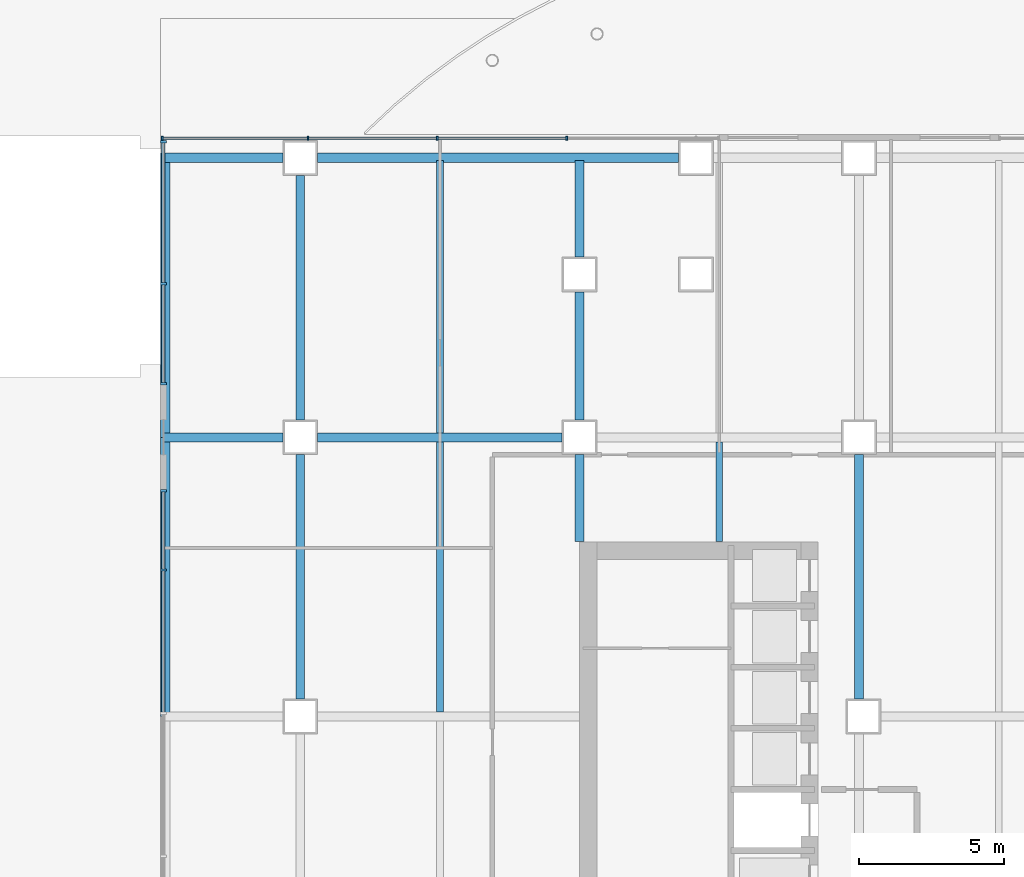
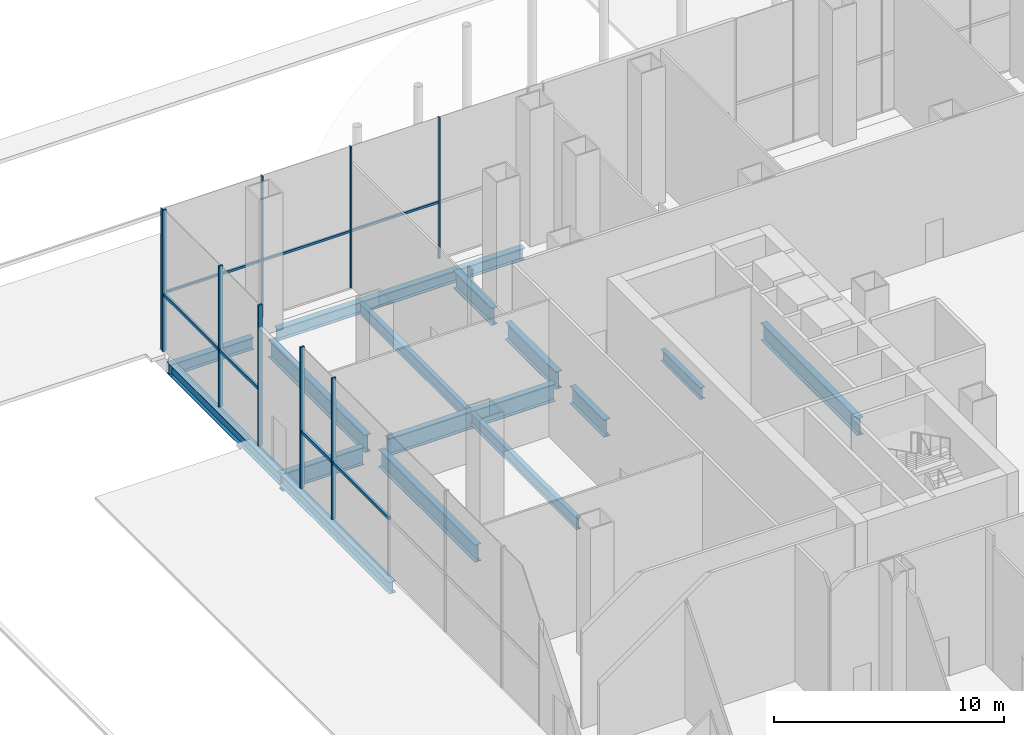
# One storey, part 14 of 36: 16 members, 15 beams, 3 elements without a shape of their own.
"""IFC4 building model written with IfcOpenShell, lengths in metres."""

from ifc_helpers import new_model, si_unit, direction, frame, origin, origin_2d, place, context, subcontext, project, spatial, rectangle, i_section, extrude, material, material_profile, profile_set, type_object, element, aggregate, save


model = new_model("IFC4")

# Units and contexts
model_context = context("Model", 3, precision=1e-05, world=origin(), true_north=direction((0.0, 1.0)))
body_context = subcontext(model_context, "Body", "Model", "MODEL_VIEW")
ifc_project = project(units=[si_unit("LENGTHUNIT", "METRE"), si_unit("AREAUNIT", "SQUARE_METRE"), si_unit("VOLUMEUNIT", "CUBIC_METRE"), si_unit("PLANEANGLEUNIT", "RADIAN"), si_unit("MASSUNIT", "GRAM", prefix="KILO")], contexts=[model_context])

# Site, building, storey
site_placement = place(None, origin())
site = spatial("IfcSite", under=ifc_project, at=site_placement, CompositionType="ELEMENT")
building_placement = place(site_placement, origin())
building = spatial("IfcBuilding", under=site, at=building_placement, Name="Cobrizo Arcos Hotel Tower", CompositionType="ELEMENT")
storey_placement = place(building_placement, origin())
storey = spatial("IfcBuildingStorey", under=building, at=storey_placement, Name="L00", CompositionType="ELEMENT", Elevation=0.0)

# Curtain wall, members
ifc_material_1 = material(Name="Aluminium 6063-T6 anodised bronze", Category="aluminium")
curtain_wall_type_1 = type_object("IfcCurtainWallType", Name="CW-A guest facade", PredefinedType="NOTDEFINED", material=ifc_material_1)
curtain_wall_1_placement = place(storey_placement, origin())
curtain_wall_1 = element("IfcCurtainWall", 1, at=curtain_wall_1_placement, inside=storey, type_object=curtain_wall_type_1, Name="CW-A L00 N face", PredefinedType="NOTDEFINED")
ifc_material_profile_1 = material_profile(ifc_material_1, rectangle(XDim=0.14990234375, YDim=0.06005859375, at=origin_2d()), Name="CW-A mullion 150x60")
ifc_profile_set_1 = profile_set([ifc_material_profile_1], Name="Aluminium 6063-T6 anodised bronze")
member_type_1 = type_object("IfcMemberType", Name="CW-A mullion 150x60", PredefinedType="MULLION", material=ifc_profile_set_1)
member_1_placement = place(storey_placement, frame((-24.4443359375, 24.675048828125, 0.0), z_axis=(0.0, 0.0, 1.0), x_axis=(0.0, 1.0, 0.0)))
member_1 = element("IfcMember", 2, at=member_1_placement, type_object=member_type_1, Name="CW-A mullion 3", PredefinedType="MULLION", context=body_context, shape_type="SweptSolid", body=[
    extrude(rectangle(XDim=0.14990234375, YDim=0.06005859375, at=origin_2d()), origin(), (0.0, 0.0, 1.0), 7.5),
])
member_2_placement = place(storey_placement, frame((-28.888916015625, 24.675048828125, 0.0), z_axis=(0.0, 0.0, 1.0), x_axis=(0.0, 1.0, 0.0)))
member_2 = element("IfcMember", 3, at=member_2_placement, type_object=member_type_1, Name="CW-A mullion 4", PredefinedType="MULLION", context=body_context, shape_type="SweptSolid", body=[
    extrude(rectangle(XDim=0.14990234375, YDim=0.06005859375, at=origin_2d()), origin(), (0.0, 0.0, 1.0), 7.5),
])
member_3_placement = place(storey_placement, frame((-33.333251953125, 24.675048828125, 0.0), z_axis=(0.0, 0.0, 1.0), x_axis=(0.0, 1.0, 0.0)))
member_3 = element("IfcMember", 4, at=member_3_placement, type_object=member_type_1, Name="CW-A mullion 5", PredefinedType="MULLION", context=body_context, shape_type="SweptSolid", body=[
    extrude(rectangle(XDim=0.14990234375, YDim=0.06005859375, at=origin_2d()), origin(), (0.0, 0.0, 1.0), 7.5),
])
member_4_placement = place(storey_placement, frame((-38.344970703125, 24.675048828125, 0.0), z_axis=(0.0, 0.0, 1.0), x_axis=(0.0, 1.0, 0.0)))
member_4 = element("IfcMember", 5, at=member_4_placement, type_object=member_type_1, Name="CW-A mullion 6", PredefinedType="MULLION", context=body_context, shape_type="SweptSolid", body=[
    extrude(rectangle(XDim=0.14990234375, YDim=0.06005859375, at=origin_2d()), origin(), (0.0, 0.0, 1.0), 7.5),
])
ifc_material_profile_2 = material_profile(ifc_material_1, rectangle(XDim=0.10009765625, YDim=0.1201171875, at=origin_2d()), Name="CW-A transom 120x100")
ifc_profile_set_2 = profile_set([ifc_material_profile_2], Name="Aluminium 6063-T6 anodised bronze")
member_type_2 = type_object("IfcMemberType", Name="CW-A transom 120x100", PredefinedType="USERDEFINED", material=ifc_profile_set_2)
member_5_placement = place(storey_placement, frame((-24.474365234375, 24.675048828125, 3.0), z_axis=(-1.0, 0.0, 0.0), x_axis=(0.0, -1.0, 0.0)))
member_5 = element("IfcMember", 6, at=member_5_placement, type_object=member_type_2, Name="CW-A transom 24", ObjectType="TRANSOM", PredefinedType="USERDEFINED", context=body_context, shape_type="SweptSolid", body=[
    extrude(rectangle(XDim=0.10009765625, YDim=0.1201171875, at=origin_2d()), origin(), (0.0, 0.0, 1.0), 4.384521484375),
])
member_6_placement = place(storey_placement, frame((-28.9189453125, 24.675048828125, 3.0), z_axis=(-1.0, 0.0, 0.0), x_axis=(0.0, -1.0, 0.0)))
member_6 = element("IfcMember", 7, at=member_6_placement, type_object=member_type_2, Name="CW-A transom 25", ObjectType="TRANSOM", PredefinedType="USERDEFINED", context=body_context, shape_type="SweptSolid", body=[
    extrude(rectangle(XDim=0.10009765625, YDim=0.1201171875, at=origin_2d()), origin(), (0.0, 0.0, 1.0), 4.38427734375),
])
member_7_placement = place(storey_placement, frame((-33.36328125, 24.675048828125, 3.0), z_axis=(-1.0, 0.0, 0.0), x_axis=(0.0, -1.0, 0.0)))
member_7 = element("IfcMember", 8, at=member_7_placement, type_object=member_type_2, Name="CW-A transom 26", ObjectType="TRANSOM", PredefinedType="USERDEFINED", context=body_context, shape_type="SweptSolid", body=[
    extrude(rectangle(XDim=0.10009765625, YDim=0.1201171875, at=origin_2d()), origin(), (0.0, 0.0, 1.0), 4.95166015625),
])
aggregate(curtain_wall_1, [member_1, member_2, member_3, member_4, member_5, member_6, member_7])

curtain_wall_type_2 = type_object("IfcCurtainWallType", Name="CW-B podium glazing", PredefinedType="NOTDEFINED", material=ifc_material_1)
curtain_wall_2_placement = place(storey_placement, origin())
curtain_wall_2 = element("IfcCurtainWall", 9, at=curtain_wall_2_placement, inside=storey, type_object=curtain_wall_type_2, Name="CW-B L00 W face", PredefinedType="NOTDEFINED")
ifc_material_profile_3 = material_profile(ifc_material_1, rectangle(XDim=0.199951171875, YDim=0.080078125, at=origin_2d()), Name="CW-B mullion 200x80")
ifc_profile_set_3 = profile_set([ifc_material_profile_3], Name="Aluminium 6063-T6 anodised bronze")
member_type_3 = type_object("IfcMemberType", Name="CW-B mullion 200x80", PredefinedType="MULLION", material=ifc_profile_set_3)
member_8_placement = place(storey_placement, frame((-38.300048828125, 24.56005859375, 0.0), z_axis=(0.0, 0.0, 1.0), x_axis=(-1.0, 0.0, 0.0)))
member_8 = element("IfcMember", 10, at=member_8_placement, type_object=member_type_3, Name="CW-B mullion 1", PredefinedType="MULLION", context=body_context, shape_type="SweptSolid", body=[
    extrude(rectangle(XDim=0.199951171875, YDim=0.080078125, at=origin_2d()), origin(), (0.0, 0.0, 1.0), 7.5),
])
member_9_placement = place(storey_placement, frame((-38.300048828125, 19.679931640625, 0.0), z_axis=(0.0, 0.0, 1.0), x_axis=(-1.0, 0.0, 0.0)))
member_9 = element("IfcMember", 11, at=member_9_placement, type_object=member_type_3, Name="CW-B mullion 2", PredefinedType="MULLION", context=body_context, shape_type="SweptSolid", body=[
    extrude(rectangle(XDim=0.199951171875, YDim=0.080078125, at=origin_2d()), origin(), (0.0, 0.0, 1.0), 7.5),
])
member_10_placement = place(storey_placement, frame((-38.300048828125, 16.239990234375, 0.0), z_axis=(0.0, 0.0, 1.0), x_axis=(-1.0, 0.0, 0.0)))
member_10 = element("IfcMember", 12, at=member_10_placement, type_object=member_type_3, Name="CW-B mullion 3", PredefinedType="MULLION", context=body_context, shape_type="SweptSolid", body=[
    extrude(rectangle(XDim=0.199951171875, YDim=0.080078125, at=origin_2d()), origin(), (0.0, 0.0, 1.0), 7.5),
])

curtain_wall_3_placement = place(storey_placement, origin())
curtain_wall_3 = element("IfcCurtainWall", 13, at=curtain_wall_3_placement, inside=storey, type_object=curtain_wall_type_2, Name="CW-B L00 W face", PredefinedType="NOTDEFINED")
member_11_placement = place(storey_placement, frame((-38.300048828125, 12.56005859375, 0.0), z_axis=(0.0, 0.0, 1.0), x_axis=(-1.0, 0.0, 0.0)))
member_11 = element("IfcMember", 14, at=member_11_placement, type_object=member_type_3, Name="CW-B mullion 1", PredefinedType="MULLION", context=body_context, shape_type="SweptSolid", body=[
    extrude(rectangle(XDim=0.199951171875, YDim=0.080078125, at=origin_2d()), origin(), (0.0, 0.0, 1.0), 7.5),
])
member_12_placement = place(storey_placement, frame((-38.300048828125, 9.840087890625, 0.0), z_axis=(0.0, 0.0, 1.0), x_axis=(-1.0, 0.0, 0.0)))
member_12 = element("IfcMember", 15, at=member_12_placement, type_object=member_type_3, Name="CW-B mullion 2", PredefinedType="MULLION", context=body_context, shape_type="SweptSolid", body=[
    extrude(rectangle(XDim=0.199951171875, YDim=0.080078125, at=origin_2d()), origin(), (0.0, 0.0, 1.0), 7.5),
])

# Member
ifc_material_profile_4 = material_profile(ifc_material_1, rectangle(XDim=0.1201171875, YDim=0.159912109375, at=origin_2d()), Name="CW-B transom 160x120")
ifc_profile_set_4 = profile_set([ifc_material_profile_4], Name="Aluminium 6063-T6 anodised bronze")
member_type_4 = type_object("IfcMemberType", Name="CW-B transom 160x120", PredefinedType="USERDEFINED", material=ifc_profile_set_4)
member_13_placement = place(storey_placement, frame((-38.300048828125, 24.52001953125, 3.0), z_axis=(0.0, -1.0, 0.0), x_axis=(1.0, 0.0, 0.0)))
member_13 = element("IfcMember", 16, at=member_13_placement, type_object=member_type_4, Name="CW-B transom 27", ObjectType="TRANSOM", PredefinedType="USERDEFINED", context=body_context, shape_type="SweptSolid", body=[
    extrude(rectangle(XDim=0.1201171875, YDim=0.159912109375, at=origin_2d()), origin(), (0.0, 0.0, 1.0), 4.800048828125),
])

member_14_placement = place(storey_placement, frame((-38.300048828125, 19.639892578125, 3.0), z_axis=(0.0, -1.0, 0.0), x_axis=(1.0, 0.0, 0.0)))
member_14 = element("IfcMember", 17, at=member_14_placement, type_object=member_type_4, Name="CW-B transom 28", ObjectType="TRANSOM", PredefinedType="USERDEFINED", context=body_context, shape_type="SweptSolid", body=[
    extrude(rectangle(XDim=0.1201171875, YDim=0.159912109375, at=origin_2d()), origin(), (0.0, 0.0, 1.0), 3.35986328125),
])

aggregate(curtain_wall_2, [member_8, member_9, member_10, member_13, member_14])

member_15_placement = place(storey_placement, frame((-38.300048828125, 12.52001953125, 3.0), z_axis=(0.0, -1.0, 0.0), x_axis=(1.0, 0.0, 0.0)))
member_15 = element("IfcMember", 18, at=member_15_placement, type_object=member_type_4, Name="CW-B transom 29", ObjectType="TRANSOM", PredefinedType="USERDEFINED", context=body_context, shape_type="SweptSolid", body=[
    extrude(rectangle(XDim=0.1201171875, YDim=0.159912109375, at=origin_2d()), origin(), (0.0, 0.0, 1.0), 2.64013671875),
])

member_16_placement = place(storey_placement, frame((-38.300048828125, 9.800048828125, 3.0), z_axis=(0.0, -1.0, 0.0), x_axis=(1.0, 0.0, 0.0)))
member_16 = element("IfcMember", 19, at=member_16_placement, type_object=member_type_4, Name="CW-B transom 30", ObjectType="TRANSOM", PredefinedType="USERDEFINED", context=body_context, shape_type="SweptSolid", body=[
    extrude(rectangle(XDim=0.1201171875, YDim=0.159912109375, at=origin_2d()), origin(), (0.0, 0.0, 1.0), 4.840087890625),
])

aggregate(curtain_wall_3, [member_11, member_12, member_15, member_16])

# Beams
ifc_material_2 = material(Name="Steel ASTM A992 Grade 50", Category="steel")
ifc_material_profile_5 = material_profile(ifc_material_2, i_section(OverallWidth=0.32763671875, OverallDepth=0.622314453125, WebThickness=0.015380859375, FlangeThickness=0.0244140625, at=origin_2d()), Name="W24X131")
ifc_profile_set_5 = profile_set([ifc_material_profile_5], Name="Steel ASTM A992 Grade 50")
beam_type_1 = type_object("IfcBeamType", Name="W24X131 edge beam", PredefinedType="BEAM", material=ifc_profile_set_5)
beam_1_placement = place(storey_placement, frame((-34.199951171875, 24.0, -0.611083984375), z_axis=(-1.0, 0.0, 0.0), x_axis=(0.0, -1.0, 0.0)))
element("IfcBeam", 20, at=beam_1_placement, inside=storey, type_object=beam_type_1, Name="Edge beam EB1, L00, no. 007", PredefinedType="BEAM", context=body_context, shape_type="SweptSolid", body=[
    extrude(i_section(OverallWidth=0.32763671875, OverallDepth=0.622314453125, WebThickness=0.015380859375, FlangeThickness=0.0244140625, at=origin_2d()), origin(), (0.0, 0.0, 1.0), 4.199951171875),
])
beam_2_placement = place(storey_placement, frame((-38.236083984375, 24.0, -0.611083984375), z_axis=(0.0, -1.0, 0.0), x_axis=(1.0, 0.0, 0.0)))
element("IfcBeam", 21, at=beam_2_placement, inside=storey, type_object=beam_type_1, Name="Edge beam EB1, L00, no. 008", PredefinedType="BEAM", context=body_context, shape_type="SweptSolid", body=[
    extrude(i_section(OverallWidth=0.32763671875, OverallDepth=0.622314453125, WebThickness=0.015380859375, FlangeThickness=0.0244140625, at=origin_2d()), origin(), (0.0, 0.0, 1.0), 9.60009765625),
])
beam_3_placement = place(storey_placement, frame((-38.236083984375, 14.39990234375, -0.611083984375), z_axis=(0.0, -1.0, 0.0), x_axis=(1.0, 0.0, 0.0)))
element("IfcBeam", 22, at=beam_3_placement, inside=storey, type_object=beam_type_1, Name="Edge beam EB1, L00, no. 009", PredefinedType="BEAM", context=body_context, shape_type="SweptSolid", body=[
    extrude(i_section(OverallWidth=0.32763671875, OverallDepth=0.622314453125, WebThickness=0.015380859375, FlangeThickness=0.0244140625, at=origin_2d()), origin(), (0.0, 0.0, 1.0), 9.599853515625),
])
ifc_material_profile_6 = material_profile(ifc_material_2, i_section(OverallWidth=0.32763671875, OverallDepth=0.622314453125, WebThickness=0.015380859375, FlangeThickness=0.0244140625, at=origin_2d()), Name="W24X131")
ifc_profile_set_6 = profile_set([ifc_material_profile_6], Name="Steel ASTM A992 Grade 50")
beam_type_2 = type_object("IfcBeamType", Name="W24X131 spandrel", PredefinedType="SPANDREL", material=ifc_profile_set_6)
beam_4_placement = place(storey_placement, frame((-20.60009765625, 24.0, -0.611083984375), z_axis=(-1.0, 0.0, 0.0), x_axis=(0.0, -1.0, 0.0)))
element("IfcBeam", 23, at=beam_4_placement, inside=storey, type_object=beam_type_2, Name="Spandrel beam W24X131, L00, no. 007", PredefinedType="SPANDREL", context=body_context, shape_type="SweptSolid", body=[
    extrude(i_section(OverallWidth=0.32763671875, OverallDepth=0.622314453125, WebThickness=0.015380859375, FlangeThickness=0.0244140625, at=origin_2d()), origin(), (0.0, 0.0, 1.0), 12.39990234375),
])
ifc_material_profile_7 = material_profile(ifc_material_2, i_section(OverallWidth=0.23046875, OverallDepth=0.6171875, WebThickness=0.01318359375, FlangeThickness=0.022216796875, at=origin_2d()), Name="W24X94")
ifc_profile_set_7 = profile_set([ifc_material_profile_7], Name="Steel ASTM A992 Grade 50")
beam_type_3 = type_object("IfcBeamType", Name="W24X94 podium joist", PredefinedType="JOIST", material=ifc_profile_set_7)
beam_5_placement = place(storey_placement, frame((-28.800048828125, 4.95361328125, -0.608642578125), z_axis=(0.0, 1.0, 0.0), x_axis=(-1.0, 0.0, 0.0)))
element("IfcBeam", 24, at=beam_5_placement, inside=storey, type_object=beam_type_3, Name="Podium joist PJ1, L00, no. 004", PredefinedType="JOIST", context=body_context, shape_type="SweptSolid", body=[
    extrude(i_section(OverallWidth=0.23046875, OverallDepth=0.6171875, WebThickness=0.01318359375, FlangeThickness=0.022216796875, at=origin_2d()), origin(), (0.0, 0.0, 1.0), 9.292724609375),
])
beam_6_placement = place(storey_placement, frame((-28.800048828125, 14.5537109375, -0.608642578125), z_axis=(0.0, 1.0, 0.0), x_axis=(-1.0, 0.0, 0.0)))
element("IfcBeam", 25, at=beam_6_placement, inside=storey, type_object=beam_type_3, Name="Podium joist PJ1, L00, no. 005", PredefinedType="JOIST", context=body_context, shape_type="SweptSolid", body=[
    extrude(i_section(OverallWidth=0.23046875, OverallDepth=0.6171875, WebThickness=0.01318359375, FlangeThickness=0.022216796875, at=origin_2d()), origin(), (0.0, 0.0, 1.0), 9.356201171875),
])
beam_7_placement = place(storey_placement, frame((-19.199951171875, 10.81005859375, -0.608642578125), z_axis=(0.0, 1.0, 0.0), x_axis=(-1.0, 0.0, 0.0)))
element("IfcBeam", 26, at=beam_7_placement, inside=storey, type_object=beam_type_3, Name="Podium joist PJ1, L00, no. 008", PredefinedType="JOIST", context=body_context, shape_type="SweptSolid", body=[
    extrude(i_section(OverallWidth=0.23046875, OverallDepth=0.6171875, WebThickness=0.01318359375, FlangeThickness=0.022216796875, at=origin_2d()), origin(), (0.0, 0.0, 1.0), 3.436279296875),
])
ifc_material_profile_8 = material_profile(ifc_material_2, i_section(OverallWidth=0.307373046875, OverallDepth=0.927001953125, WebThickness=0.01953125, FlangeThickness=0.031982421875, at=origin_2d()), Name="W36X194")
ifc_profile_set_8 = profile_set([ifc_material_profile_8], Name="Steel ASTM A992 Grade 50")
beam_type_4 = type_object("IfcBeamType", Name="W36X194 podium girder", PredefinedType="BEAM", material=ifc_profile_set_8)
beam_8_placement = place(storey_placement, frame((-38.31005859375, 14.39990234375, -0.763427734375), z_axis=(1.0, 0.0, 0.0), x_axis=(0.0, 1.0, 0.0)))
element("IfcBeam", 27, at=beam_8_placement, inside=storey, type_object=beam_type_4, Name="Podium girder PG1, L00, no. 026", PredefinedType="BEAM", context=body_context, shape_type="SweptSolid", body=[
    extrude(i_section(OverallWidth=0.307373046875, OverallDepth=0.927001953125, WebThickness=0.01953125, FlangeThickness=0.031982421875, at=origin_2d()), origin(), (0.0, 0.0, 1.0), 4.110107421875),
])
beam_9_placement = place(storey_placement, frame((-33.0, 14.39990234375, -0.763427734375), z_axis=(1.0, 0.0, 0.0), x_axis=(0.0, 1.0, 0.0)))
element("IfcBeam", 28, at=beam_9_placement, inside=storey, type_object=beam_type_4, Name="Podium girder PG1, L00, no. 027", PredefinedType="BEAM", context=body_context, shape_type="SweptSolid", body=[
    extrude(i_section(OverallWidth=0.307373046875, OverallDepth=0.927001953125, WebThickness=0.01953125, FlangeThickness=0.031982421875, at=origin_2d()), origin(), (0.0, 0.0, 1.0), 8.39990234375),
])
beam_10_placement = place(storey_placement, frame((-33.60009765625, 5.39990234375, -0.763427734375), z_axis=(0.0, 1.0, 0.0), x_axis=(-1.0, 0.0, 0.0)))
element("IfcBeam", 29, at=beam_10_placement, inside=storey, type_object=beam_type_4, Name="Podium girder PG1, L00, no. 038", PredefinedType="BEAM", context=body_context, shape_type="SweptSolid", body=[
    extrude(i_section(OverallWidth=0.307373046875, OverallDepth=0.927001953125, WebThickness=0.01953125, FlangeThickness=0.031982421875, at=origin_2d()), origin(), (0.0, 0.0, 1.0), 8.400146484375),
])
beam_11_placement = place(storey_placement, frame((-33.60009765625, 15.0, -0.763427734375), z_axis=(0.0, 1.0, 0.0), x_axis=(-1.0, 0.0, 0.0)))
element("IfcBeam", 30, at=beam_11_placement, inside=storey, type_object=beam_type_4, Name="Podium girder PG1, L00, no. 039", PredefinedType="BEAM", context=body_context, shape_type="SweptSolid", body=[
    extrude(i_section(OverallWidth=0.307373046875, OverallDepth=0.927001953125, WebThickness=0.01953125, FlangeThickness=0.031982421875, at=origin_2d()), origin(), (0.0, 0.0, 1.0), 8.39990234375),
])
beam_12_placement = place(storey_placement, frame((-24.0, 10.81005859375, -0.763427734375), z_axis=(0.0, 1.0, 0.0), x_axis=(-1.0, 0.0, 0.0)))
element("IfcBeam", 31, at=beam_12_placement, inside=storey, type_object=beam_type_4, Name="Podium girder PG1, L00, no. 043", PredefinedType="BEAM", context=body_context, shape_type="SweptSolid", body=[
    extrude(i_section(OverallWidth=0.307373046875, OverallDepth=0.927001953125, WebThickness=0.01953125, FlangeThickness=0.031982421875, at=origin_2d()), origin(), (0.0, 0.0, 1.0), 2.989990234375),
])
beam_13_placement = place(storey_placement, frame((-24.0, 15.0, -0.763427734375), z_axis=(0.0, 1.0, 0.0), x_axis=(-1.0, 0.0, 0.0)))
element("IfcBeam", 32, at=beam_13_placement, inside=storey, type_object=beam_type_4, Name="Podium girder PG1, L00, no. 044", PredefinedType="BEAM", context=body_context, shape_type="SweptSolid", body=[
    extrude(i_section(OverallWidth=0.307373046875, OverallDepth=0.927001953125, WebThickness=0.01953125, FlangeThickness=0.031982421875, at=origin_2d()), origin(), (0.0, 0.0, 1.0), 4.39990234375),
])
beam_14_placement = place(storey_placement, frame((-24.0, 20.60009765625, -0.763427734375), z_axis=(0.0, 1.0, 0.0), x_axis=(-1.0, 0.0, 0.0)))
element("IfcBeam", 33, at=beam_14_placement, inside=storey, type_object=beam_type_4, Name="Podium girder PG1, L00, no. 045", PredefinedType="BEAM", context=body_context, shape_type="SweptSolid", body=[
    extrude(i_section(OverallWidth=0.307373046875, OverallDepth=0.927001953125, WebThickness=0.01953125, FlangeThickness=0.031982421875, at=origin_2d()), origin(), (0.0, 0.0, 1.0), 3.309814453125),
])
beam_15_placement = place(storey_placement, frame((-14.39990234375, 5.39990234375, -0.763427734375), z_axis=(0.0, 1.0, 0.0), x_axis=(-1.0, 0.0, 0.0)))
element("IfcBeam", 34, at=beam_15_placement, inside=storey, type_object=beam_type_4, Name="Podium girder PG1, L00, no. 049", PredefinedType="BEAM", context=body_context, shape_type="SweptSolid", body=[
    extrude(i_section(OverallWidth=0.307373046875, OverallDepth=0.927001953125, WebThickness=0.01953125, FlangeThickness=0.031982421875, at=origin_2d()), origin(), (0.0, 0.0, 1.0), 8.400146484375),
])

save(model, "model.ifc")
